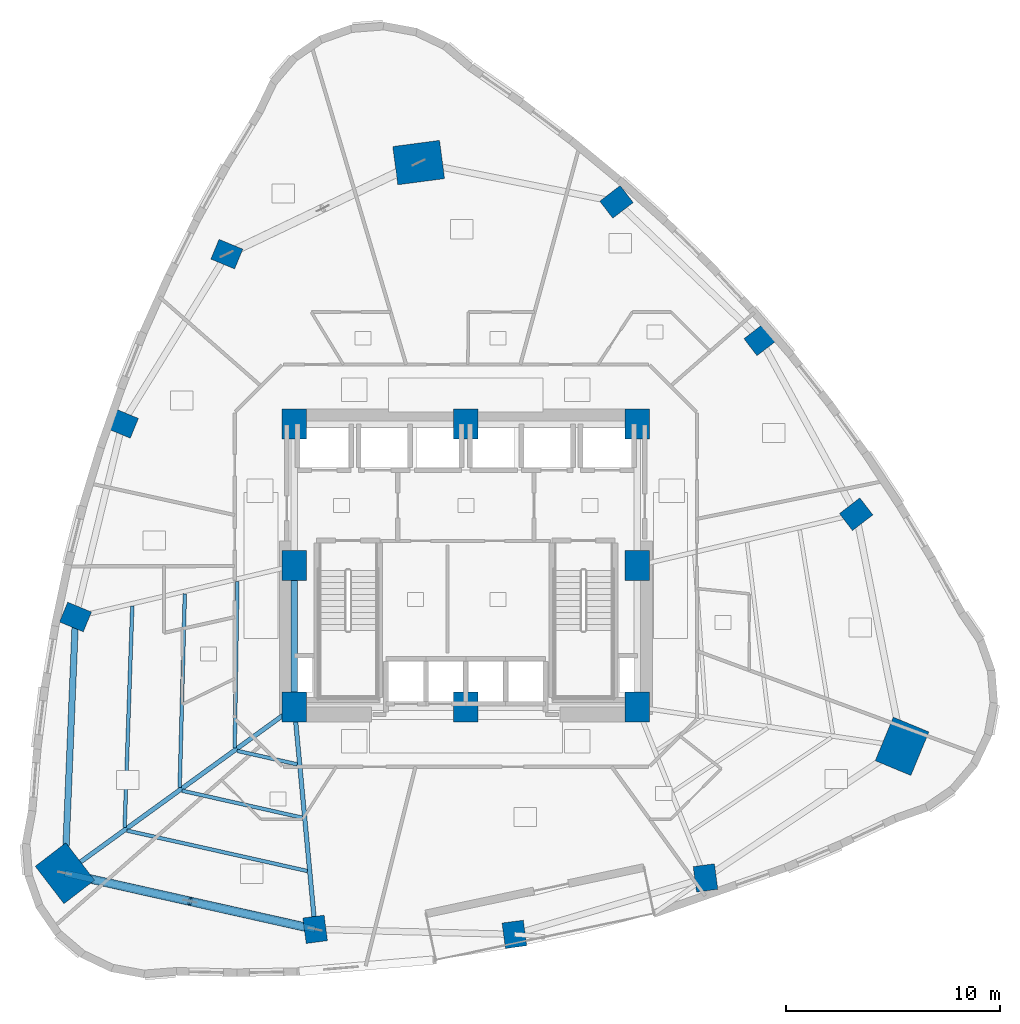
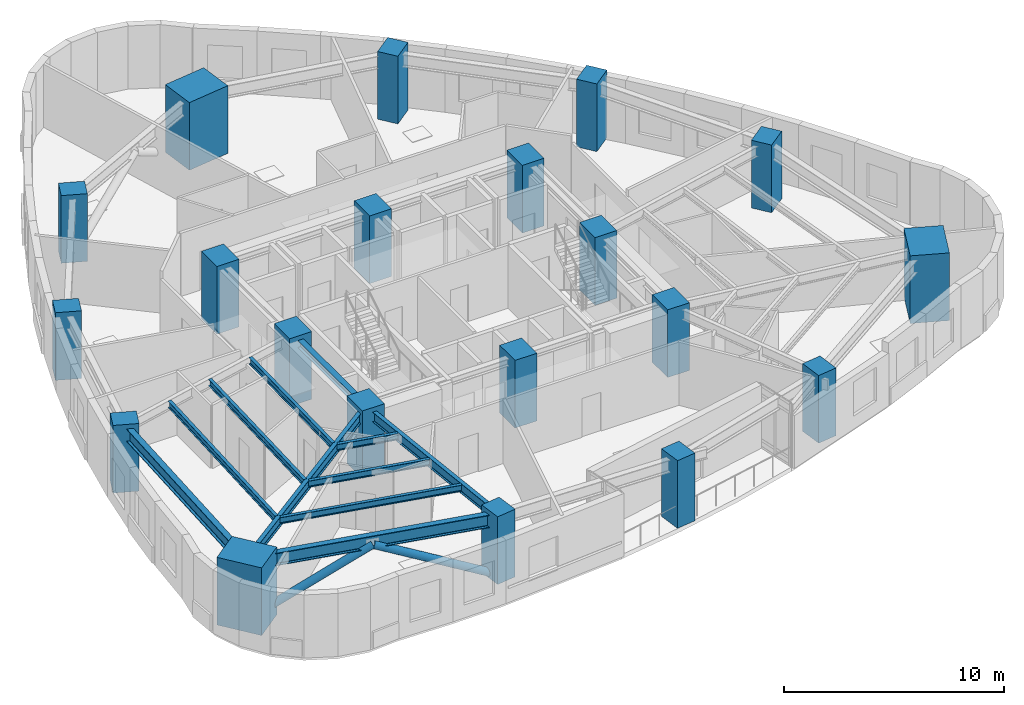
# One storey, part 1 of 12: 20 columns, 11 beams, 2 members.
"""IFC4 building model written with IfcOpenShell, lengths in metres."""

from ifc_helpers import new_model, si_unit, direction, frame, origin, origin_2d, place, context, subcontext, project, spatial, rectangle, hollow_circle, i_section, extrude, material, material_profile, profile_set, type_object, element, save


model = new_model("IFC4")

# Units and contexts
model_context = context("Model", 3, precision=1e-05, world=origin(), true_north=direction((0.0, 1.0)))
body_context = subcontext(model_context, "Body", "Model", "MODEL_VIEW")
ifc_project = project(units=[si_unit("LENGTHUNIT", "METRE"), si_unit("AREAUNIT", "SQUARE_METRE"), si_unit("VOLUMEUNIT", "CUBIC_METRE"), si_unit("PLANEANGLEUNIT", "RADIAN"), si_unit("MASSUNIT", "GRAM", prefix="KILO")], contexts=[model_context])

# Site, building, storey
site_placement = place(None, origin())
site = spatial("IfcSite", under=ifc_project, at=site_placement, CompositionType="ELEMENT")
building_placement = place(site_placement, origin())
building = spatial("IfcBuilding", under=site, at=building_placement, Name="Ndelora Gate Hotel", CompositionType="ELEMENT")
storey_placement = place(building_placement, frame((0.0, 0.0, 71.75)))
storey = spatial("IfcBuildingStorey", under=building, at=storey_placement, Name="L17", CompositionType="ELEMENT", Elevation=71.75)

# Columns
ifc_material_1 = material(Name="Concrete C60/75", Category="concrete")
ifc_material_profile_1 = material_profile(ifc_material_1, rectangle(XDim=1.14990234375, YDim=1.39990234375, at=origin_2d()), Name="RC 1400x1150")
ifc_profile_set_1 = profile_set([ifc_material_profile_1], Name="Concrete C60/75")
column_type_1 = type_object("IfcColumnType", Name="COL-CC-LOW", PredefinedType="COLUMN", material=ifc_profile_set_1)
for number, where, z_axis, x_axis, name in (
    (1, (-8.0, -6.60009765625, 0.0), (0.0, 0.0, 1.0), (1.0, 0.0, 0.0), "L17 Core Column CC1"),
    (2, (0.0, -6.60009765625, 0.0), (0.0, 0.0, 1.0), (1.0, 0.0, 0.0), "L17 Core Column CC2"),
    (3, (8.0, -6.60009765625, 0.0), (0.0, 0.0, 1.0), (1.0, 0.0, 0.0), "L17 Core Column CC3"),
    (4, (8.0, 0.0, 0.0), (0.0, 0.0, 1.0), (1.0, 0.0, 0.0), "L17 Core Column CC4"),
    (5, (8.0, 6.60009765625, 0.0), (0.0, 0.0, 1.0), (1.0, 0.0, 0.0), "L17 Core Column CC5"),
    (6, (0.0, 6.60009765625, 0.0), (0.0, 0.0, 1.0), (1.0, 0.0, 0.0), "L17 Core Column CC6"),
    (7, (-8.0, 6.60009765625, 0.0), (0.0, 0.0, 1.0), (1.0, 0.0, 0.0), "L17 Core Column CC7"),
    (8, (-8.0, 0.0, 0.0), (0.0, 0.0, 1.0), (1.0, 0.0, 0.0), "L17 Core Column CC8"),
):
    element("IfcColumn", number, at=place(storey_placement, frame(where, z_axis=z_axis, x_axis=x_axis)), inside=storey, type_object=column_type_1, Name=name, PredefinedType="COLUMN", context=body_context, shape_type="SweptSolid", body=[
        extrude(rectangle(XDim=1.14990234375, YDim=1.39990234375, at=origin_2d()), origin(), (0.0, 0.0, 1.0), 3.75),
    ])
ifc_material_profile_2 = material_profile(ifc_material_1, rectangle(XDim=1.800048828125, YDim=2.199951171875, at=origin_2d()), Name="RC 2200x1800")
ifc_profile_set_2 = profile_set([ifc_material_profile_2], Name="Concrete C60/75")
column_type_2 = type_object("IfcColumnType", Name="COL-MC-Z1", PredefinedType="COLUMN", material=ifc_profile_set_2)
for number, where, z_axis, x_axis, name in (
    (9, (-2.199951171875, 18.800048828125, 0.0), (0.0, 0.0, 1.0), (-0.13052619222, 0.991444861374, 0.0), "L17 Corner Mega-Column R1"),
    (10, (-18.701904296875, -14.3505859375, 0.0), (0.0, 0.0, 1.0), (0.793353340291, 0.608761429009, 0.0), "L17 Corner Mega-Column R5"),
    (11, (20.35009765625, -8.42919921875, 0.0), (0.0, 0.0, 1.0), (-0.923879532511, 0.382683432365, 0.0), "L17 Corner Mega-Column R9"),
):
    element("IfcColumn", number, at=place(storey_placement, frame(where, z_axis=z_axis, x_axis=x_axis)), inside=storey, type_object=column_type_2, Name=name, PredefinedType="COLUMN", context=body_context, shape_type="SweptSolid", body=[
        extrude(rectangle(XDim=1.800048828125, YDim=2.199951171875, at=origin_2d()), origin(), (0.0, 0.0, 1.0), 3.75),
    ])
ifc_material_profile_3 = material_profile(ifc_material_1, rectangle(XDim=1.0, YDim=1.199951171875, at=origin_2d()), Name="RC 1200x1000")
ifc_profile_set_3 = profile_set([ifc_material_profile_3], Name="Concrete C60/75")
column_type_3 = type_object("IfcColumnType", Name="COL-PT-Z1", PredefinedType="COLUMN", material=ifc_profile_set_3)
for number, where, z_axis, x_axis, name in (
    (12, (-11.1484375, 14.529052734375, 0.0), (0.0, 0.0, 1.0), (0.382683432365, 0.923879532511, 0.0), "L17 Perimeter Tube Column R2"),
    (13, (-16.016845703125, 6.634521484375, 0.0), (0.0, 0.0, 1.0), (0.382683432365, 0.923879532511, 0.0), "L17 Perimeter Tube Column R3"),
    (14, (-18.207275390625, -2.39697265625, 0.0), (0.0, 0.0, 1.0), (0.382683432365, 0.923879532511, 0.0), "L17 Perimeter Tube Column R4"),
    (15, (-7.027587890625, -16.96630859375, 0.0), (0.0, 0.0, 1.0), (0.991444861374, 0.13052619222, 0.0), "L17 Perimeter Tube Column R6"),
    (16, (2.2646484375, -17.20166015625, 0.0), (0.0, 0.0, 1.0), (0.991444861374, 0.13052619222, 0.0), "L17 Perimeter Tube Column R7"),
    (17, (11.179443359375, -14.5693359375, 0.0), (0.0, 0.0, 1.0), (0.991444861374, 0.13052619222, 0.0), "L17 Perimeter Tube Column R8"),
    (18, (18.207275390625, 2.39697265625, 0.0), (0.0, 0.0, 1.0), (-0.608761429009, 0.793353340291, 0.0), "L17 Perimeter Tube Column R10"),
    (19, (13.75390625, 10.5537109375, 0.0), (0.0, 0.0, 1.0), (-0.608761429009, 0.793353340291, 0.0), "L17 Perimeter Tube Column R11"),
    (20, (7.027587890625, 16.96630859375, 0.0), (0.0, 0.0, 1.0), (-0.608761429009, 0.793353340291, 0.0), "L17 Perimeter Tube Column R12"),
):
    element("IfcColumn", number, at=place(storey_placement, frame(where, z_axis=z_axis, x_axis=x_axis)), inside=storey, type_object=column_type_3, Name=name, PredefinedType="COLUMN", context=body_context, shape_type="SweptSolid", body=[
        extrude(rectangle(XDim=1.0, YDim=1.199951171875, at=origin_2d()), origin(), (0.0, 0.0, 1.0), 3.75),
    ])

# Beams
ifc_material_2 = material(Name="Steel S355", Category="steel")
ifc_material_profile_4 = material_profile(ifc_material_2, i_section(OverallWidth=0.300048828125, OverallDepth=0.39990234375, WebThickness=0.013427734375, FlangeThickness=0.02392578125, FilletRadius=0.027099609375, at=origin_2d()), Name="HEB 400")
ifc_profile_set_4 = profile_set([ifc_material_profile_4], Name="Steel S355")
beam_type_1 = type_object("IfcBeamType", Name="BM-CORE-400", PredefinedType="BEAM", material=ifc_profile_set_4)
beam_1_placement = place(storey_placement, frame((-8.0, -6.60009765625, 3.300048828125), z_axis=(0.0, 1.0, 0.0), x_axis=(-1.0, 0.0, 0.0)))
element("IfcBeam", 21, at=beam_1_placement, inside=storey, type_object=beam_type_1, Name="L17 Core Tie Girder CC1-CC8", PredefinedType="BEAM", context=body_context, shape_type="SweptSolid", body=[
    extrude(i_section(OverallWidth=0.300048828125, OverallDepth=0.39990234375, WebThickness=0.013427734375, FlangeThickness=0.02392578125, FilletRadius=0.027099609375, at=origin_2d()), origin(), (0.0, 0.0, 1.0), 6.60009765625),
])
ifc_material_profile_5 = material_profile(ifc_material_2, i_section(OverallWidth=0.169921875, OverallDepth=0.360107421875, WebThickness=0.008056640625, FlangeThickness=0.0126953125, FilletRadius=0.01806640625, at=origin_2d()), Name="IPE 360")
ifc_profile_set_5 = profile_set([ifc_material_profile_5], Name="Steel S355")
beam_type_2 = type_object("IfcBeamType", Name="BM-JST-360", PredefinedType="JOIST", material=ifc_profile_set_5)
beam_2_placement = place(storey_placement, frame((-10.65576171875, -0.73828125, 3.320068359375), z_axis=(-0.016071150123, -0.999870850727, 0.0), x_axis=(0.999870850727, -0.016071150123, 0.0)))
element("IfcBeam", 22, at=beam_2_placement, inside=storey, type_object=beam_type_2, Name="L17 Secondary Composite Floor Joist IN-4", PredefinedType="JOIST", context=body_context, shape_type="SweptSolid", body=[
    extrude(i_section(OverallWidth=0.169921875, OverallDepth=0.360107421875, WebThickness=0.008056640625, FlangeThickness=0.0126953125, FilletRadius=0.01806640625, at=origin_2d()), origin(), (0.0, 0.0, 1.0), 7.7626953125),
])
beam_3_placement = place(storey_placement, frame((-13.106689453125, -1.3134765625, 3.320068359375), z_axis=(-0.02665287705, -0.999644748971, 0.0), x_axis=(0.999644748971, -0.02665287705, 0.0)))
element("IfcBeam", 23, at=beam_3_placement, inside=storey, type_object=beam_type_2, Name="L17 Secondary Composite Floor Joist MID-4", PredefinedType="JOIST", context=body_context, shape_type="SweptSolid", body=[
    extrude(i_section(OverallWidth=0.169921875, OverallDepth=0.360107421875, WebThickness=0.008056640625, FlangeThickness=0.0126953125, FilletRadius=0.01806640625, at=origin_2d()), origin(), (0.0, 0.0, 1.0), 9.050048828125),
])
beam_4_placement = place(storey_placement, frame((-15.557373046875, -1.888671875, 3.320068359375), z_axis=(-0.034620883261, -0.999400517532, 0.0), x_axis=(0.999400517532, -0.034620883261, 0.0)))
element("IfcBeam", 24, at=beam_4_placement, inside=storey, type_object=beam_type_2, Name="L17 Secondary Composite Floor Joist OUT-4", PredefinedType="JOIST", context=body_context, shape_type="SweptSolid", body=[
    extrude(i_section(OverallWidth=0.169921875, OverallDepth=0.360107421875, WebThickness=0.008056640625, FlangeThickness=0.0126953125, FilletRadius=0.01806640625, at=origin_2d()), origin(), (0.0, 0.0, 1.0), 10.337890625),
])
beam_5_placement = place(storey_placement, frame((-10.67041015625, -8.640380859375, 3.320068359375), z_axis=(0.975820751938, -0.218572322325, 0.0), x_axis=(0.218572322325, 0.975820751938, 0.0)))
element("IfcBeam", 25, at=beam_5_placement, inside=storey, type_object=beam_type_2, Name="L17 Secondary Composite Floor Joist IN-5", PredefinedType="JOIST", context=body_context, shape_type="SweptSolid", body=[
    extrude(i_section(OverallWidth=0.169921875, OverallDepth=0.360107421875, WebThickness=0.008056640625, FlangeThickness=0.0126953125, FilletRadius=0.01806640625, at=origin_2d()), origin(), (0.0, 0.0, 1.0), 2.880615234375),
])
beam_6_placement = place(storey_placement, frame((-13.23876953125, -10.50048828125, 3.320068359375), z_axis=(0.975805037012, -0.218642470123, 0.0), x_axis=(0.218642470123, 0.975805037012, 0.0)))
element("IfcBeam", 26, at=beam_6_placement, inside=storey, type_object=beam_type_2, Name="L17 Secondary Composite Floor Joist MID-5", PredefinedType="JOIST", context=body_context, shape_type="SweptSolid", body=[
    extrude(i_section(OverallWidth=0.169921875, OverallDepth=0.360107421875, WebThickness=0.008056640625, FlangeThickness=0.0126953125, FilletRadius=0.01806640625, at=origin_2d()), origin(), (0.0, 0.0, 1.0), 5.751708984375),
])
beam_7_placement = place(storey_placement, frame((-15.80712890625, -12.360595703125, 3.320068359375), z_axis=(0.975802493229, -0.218653822759, 0.0), x_axis=(0.218653822759, 0.975802493229, 0.0)))
element("IfcBeam", 27, at=beam_7_placement, inside=storey, type_object=beam_type_2, Name="L17 Secondary Composite Floor Joist OUT-5", PredefinedType="JOIST", context=body_context, shape_type="SweptSolid", body=[
    extrude(i_section(OverallWidth=0.169921875, OverallDepth=0.360107421875, WebThickness=0.008056640625, FlangeThickness=0.0126953125, FilletRadius=0.01806640625, at=origin_2d()), origin(), (0.0, 0.0, 1.0), 8.623291015625),
])
ifc_material_profile_6 = material_profile(ifc_material_2, i_section(OverallWidth=0.2099609375, OverallDepth=0.550048828125, WebThickness=0.010986328125, FlangeThickness=0.01708984375, FilletRadius=0.02392578125, at=origin_2d()), Name="IPE 550")
ifc_profile_set_6 = profile_set([ifc_material_profile_6], Name="Steel S355")
beam_type_3 = type_object("IfcBeamType", Name="BM-RAD-550", PredefinedType="BEAM", material=ifc_profile_set_6)
beam_8_placement = place(storey_placement, frame((-8.0, -6.60009765625, 3.22509765625), z_axis=(-0.809912157619, -0.586551188679, 0.0), x_axis=(0.586551188679, -0.809912157619, 0.0)))
element("IfcBeam", 28, at=beam_8_placement, inside=storey, type_object=beam_type_3, Name="L17 Radial Floor Girder 5", PredefinedType="BEAM", context=body_context, shape_type="SweptSolid", body=[
    extrude(i_section(OverallWidth=0.2099609375, OverallDepth=0.550048828125, WebThickness=0.010986328125, FlangeThickness=0.01708984375, FilletRadius=0.02392578125, at=origin_2d()), origin(), (0.0, 0.0, 1.0), 13.213623046875),
])
beam_9_placement = place(storey_placement, frame((-8.0, -6.60009765625, 3.22509765625), z_axis=(0.093395913855, -0.995629049031, 0.0), x_axis=(0.995629049031, 0.093395913855, 0.0)))
element("IfcBeam", 29, at=beam_9_placement, inside=storey, type_object=beam_type_3, Name="L17 Radial Floor Girder 6", PredefinedType="BEAM", context=body_context, shape_type="SweptSolid", body=[
    extrude(i_section(OverallWidth=0.2099609375, OverallDepth=0.550048828125, WebThickness=0.010986328125, FlangeThickness=0.01708984375, FilletRadius=0.02392578125, at=origin_2d()), origin(), (0.0, 0.0, 1.0), 10.41162109375),
])
ifc_material_profile_7 = material_profile(ifc_material_2, i_section(OverallWidth=0.300048828125, OverallDepth=0.699951171875, WebThickness=0.01708984375, FlangeThickness=0.031982421875, FilletRadius=0.027099609375, at=origin_2d()), Name="HEB 700")
ifc_profile_set_7 = profile_set([ifc_material_profile_7], Name="Steel S355")
beam_type_4 = type_object("IfcBeamType", Name="BM-RING-700", PredefinedType="SPANDREL", material=ifc_profile_set_7)
for number, where, z_axis, x_axis, name in (
    (30, (-18.207275390625, -2.39697265625, 3.14990234375), (-0.041343648978, -0.99914498582, 0.0), (0.99914498582, -0.041343648978, 0.0), "L17 Perimeter Spandrel Girder 4"),
    (31, (-18.701904296875, -14.3505859375, 3.14990234375), (0.97580624377, -0.218637084273, 0.0), (0.218637084273, 0.97580624377, 0.0), "L17 Perimeter Spandrel Girder 5"),
):
    element("IfcBeam", number, at=place(storey_placement, frame(where, z_axis=z_axis, x_axis=x_axis)), inside=storey, type_object=beam_type_4, Name=name, PredefinedType="SPANDREL", context=body_context, shape_type="SweptSolid", body=[
        extrude(i_section(OverallWidth=0.300048828125, OverallDepth=0.699951171875, WebThickness=0.01708984375, FlangeThickness=0.031982421875, FilletRadius=0.027099609375, at=origin_2d()), origin(), (0.0, 0.0, 1.0), 11.9638671875),
    ])

# Members
ifc_material_profile_8 = material_profile(ifc_material_2, hollow_circle(Radius=0.202880859375, WallThickness=0.02001953125, at=origin_2d()), Name="CHS 406x20")
ifc_profile_set_8 = profile_set([ifc_material_profile_8], Name="Steel S355")
member_type = type_object("IfcMemberType", Name="MB-TUBE-406", PredefinedType="BRACE", material=ifc_profile_set_8)
for number, where, z_axis, x_axis, name in (
    (32, (-18.701904296875, -14.3505859375, 0.02001953125), (0.876333458546, -0.196349422286, 0.439871087708), (0.218637084273, 0.97580624377, 0.0), "L17 Perimeter Braced-Tube Diagonal 5A"),
    (33, (-7.027587890625, -16.96630859375, 0.02001953125), (-0.876333458546, 0.196349422286, 0.439871087708), (-0.218637084273, -0.97580624377, 0.0), "L17 Perimeter Braced-Tube Diagonal 5B"),
):
    element("IfcMember", number, at=place(storey_placement, frame(where, z_axis=z_axis, x_axis=x_axis)), inside=storey, type_object=member_type, Name=name, PredefinedType="BRACE", context=body_context, shape_type="SweptSolid", body=[
        extrude(hollow_circle(Radius=0.202880859375, WallThickness=0.02001953125, at=origin_2d()), origin(), (0.0, 0.0, 1.0), 6.660888671875),
    ])

save(model, "model.ifc")
